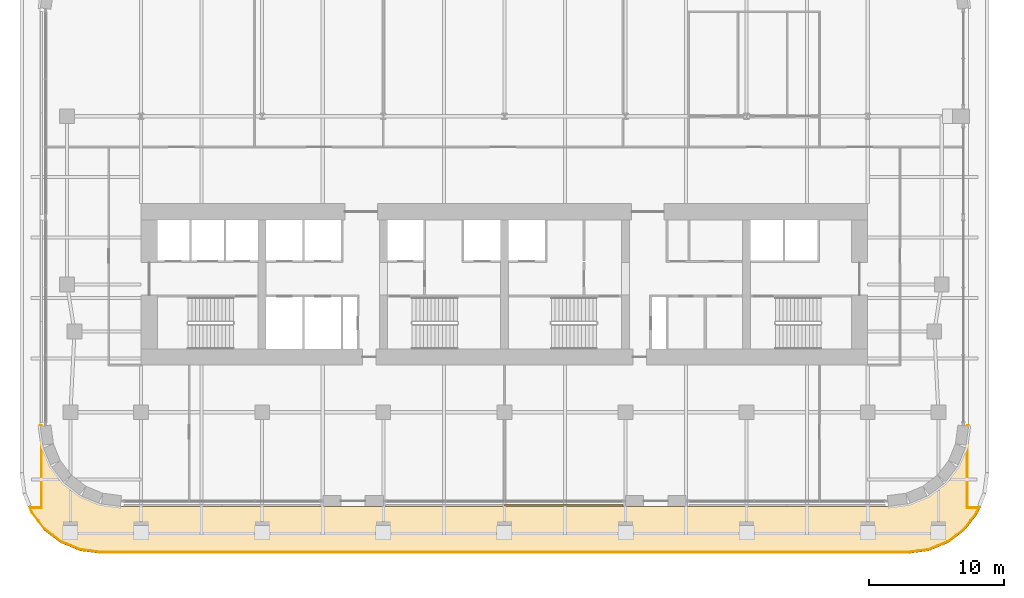
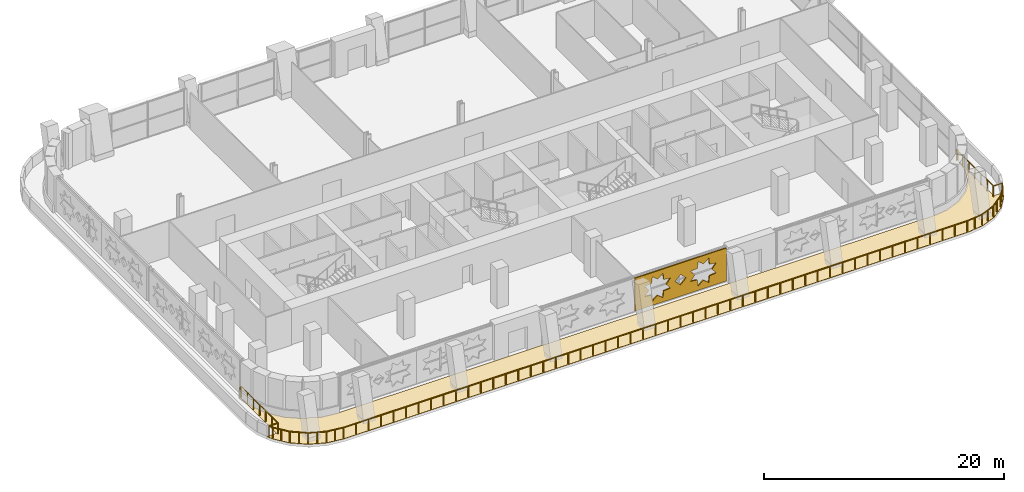
# One storey, part 20 of 26: 2 coverings, 1 railing.
"""IFC4 building model written with IfcOpenShell, lengths in metres."""

from ifc_helpers import new_model, si_unit, direction, frame, origin, origin_2d, place, context, subcontext, project, spatial, polyline, circle, outline, extrude, material, layer, layer_set, type_object, element, save


model = new_model("IFC4")

# Units and contexts
model_context = context("Model", 3, precision=1e-05, world=origin(), true_north=direction((0.0, 1.0)))
body_context = subcontext(model_context, "Body", "Model", "MODEL_VIEW")
ifc_project = project(units=[si_unit("LENGTHUNIT", "METRE"), si_unit("AREAUNIT", "SQUARE_METRE"), si_unit("VOLUMEUNIT", "CUBIC_METRE"), si_unit("PLANEANGLEUNIT", "RADIAN"), si_unit("MASSUNIT", "GRAM", prefix="KILO")], contexts=[model_context])

# Site, building, storey
site_placement = place(None, origin())
site = spatial("IfcSite", under=ifc_project, at=site_placement, CompositionType="ELEMENT")
building_placement = place(site_placement, origin())
building = spatial("IfcBuilding", under=site, at=building_placement, Name="Zellij Exchange Tower", CompositionType="ELEMENT")
storey_placement = place(building_placement, frame((0.0, 0.0, 100.5)))
storey = spatial("IfcBuildingStorey", under=building, at=storey_placement, Name="L21", CompositionType="ELEMENT", Elevation=100.5)

# Railing
ifc_material_1 = material(Name="Bronze-finished aluminium", Category="aluminium")
railing_type = type_object("IfcRailingType", Name="ENV-GR1 Terrace guard", PredefinedType="GUARDRAIL", material=ifc_material_1)
railing_placement = place(storey_placement, frame((-34.5, -18.500732421875, 0.0)))
element("IfcRailing", 1, at=railing_placement, inside=storey, type_object=railing_type, Name="Terrace guard", PredefinedType="GUARDRAIL", context=body_context, shape_type="SweptSolid", body=[
    extrude(circle(Radius=0.02490234375, at=origin_2d()), frame((0.0, 0.0, 1.0751953125), z_axis=(1.0, 0.0, 0.0), x_axis=(0.0, 1.0, 0.0)), (0.0, 0.0, 1.0), 0.10009765625),
    extrude(circle(Radius=0.02490234375, at=origin_2d()), frame((0.10009765625, 0.0, 1.0751953125), z_axis=(0.0, -1.0, 0.0), x_axis=(1.0, 0.0, 0.0)), (0.0, 0.0, 1.0), 6.099365234375),
    extrude(circle(Radius=0.02490234375, at=origin_2d()), frame((0.10009765625, -6.099365234375, 1.0751953125), z_axis=(-1.0, 0.0, 0.0), x_axis=(0.0, -1.0, 0.0)), (0.0, 0.0, 1.0), 0.853759765625),
    extrude(circle(Radius=0.02490234375, at=origin_2d()), frame((-0.753662109375, -6.099365234375, 1.0751953125), z_axis=(0.382598720491, -0.923914616768, 0.0), x_axis=(0.923914616768, 0.382598720491, 0.0)), (0.0, 0.0, 1.0), 0.37841796875),
    extrude(circle(Radius=0.02490234375, at=origin_2d()), frame((-0.60888671875, -6.448974609375, 1.0751953125), z_axis=(0.608790940556, -0.793330694412, 0.0), x_axis=(0.793330694412, 0.608790940556, 0.0)), (0.0, 0.0, 1.0), 1.5400390625),
    extrude(circle(Radius=0.02490234375, at=origin_2d()), frame((0.32861328125, -7.670654296875, 1.0751953125), z_axis=(0.793330694412, -0.608790940556, 0.0), x_axis=(0.608790940556, 0.793330694412, 0.0)), (0.0, 0.0, 1.0), 1.5400390625),
    extrude(circle(Radius=0.02490234375, at=origin_2d()), frame((1.55029296875, -8.608154296875, 1.0751953125), z_axis=(0.923881586142, -0.382678474425, 0.0), x_axis=(0.382678474425, 0.923881586142, 0.0)), (0.0, 0.0, 1.0), 1.5400390625),
    extrude(circle(Radius=0.02490234375, at=origin_2d()), frame((2.97314453125, -9.197509765625, 1.0751953125), z_axis=(0.991463426777, -0.130385096405, 0.0), x_axis=(0.130385096405, 0.991463426777, 0.0)), (0.0, 0.0, 1.0), 1.546630859375),
    extrude(circle(Radius=0.02490234375, at=origin_2d()), frame((4.506591796875, -9.399169921875, 1.0751953125), z_axis=(1.0, 0.0, 0.0), x_axis=(0.0, 1.0, 0.0)), (0.0, 0.0, 1.0), 59.98681640625),
    extrude(circle(Radius=0.02490234375, at=origin_2d()), frame((64.493408203125, -9.399169921875, 1.0751953125), z_axis=(0.991463426777, 0.130385096405, 0.0), x_axis=(-0.130385096405, 0.991463426777, 0.0)), (0.0, 0.0, 1.0), 1.546630859375),
    extrude(circle(Radius=0.02490234375, at=origin_2d()), frame((66.02685546875, -9.197509765625, 1.0751953125), z_axis=(0.923881586142, 0.382678474425, 0.0), x_axis=(-0.382678474425, 0.923881586142, 0.0)), (0.0, 0.0, 1.0), 1.5400390625),
    extrude(circle(Radius=0.02490234375, at=origin_2d()), frame((67.44970703125, -8.608154296875, 1.0751953125), z_axis=(0.793330694412, 0.608790940556, 0.0), x_axis=(-0.608790940556, 0.793330694412, 0.0)), (0.0, 0.0, 1.0), 1.5400390625),
    extrude(circle(Radius=0.02490234375, at=origin_2d()), frame((68.67138671875, -7.670654296875, 1.0751953125), z_axis=(0.608790940556, 0.793330694412, 0.0), x_axis=(-0.793330694412, 0.608790940556, 0.0)), (0.0, 0.0, 1.0), 1.5400390625),
    extrude(circle(Radius=0.02490234375, at=origin_2d()), frame((69.60888671875, -6.448974609375, 1.0751953125), z_axis=(0.382598720491, 0.923914616768, 0.0), x_axis=(-0.923914616768, 0.382598720491, 0.0)), (0.0, 0.0, 1.0), 0.37841796875),
    extrude(circle(Radius=0.02490234375, at=origin_2d()), frame((69.753662109375, -6.099365234375, 1.0751953125), z_axis=(-1.0, 0.0, 0.0), x_axis=(0.0, -1.0, 0.0)), (0.0, 0.0, 1.0), 0.853759765625),
    extrude(circle(Radius=0.02490234375, at=origin_2d()), frame((68.89990234375, -6.099365234375, 1.0751953125), z_axis=(0.0, 1.0, 0.0), x_axis=(-1.0, 0.0, 0.0)), (0.0, 0.0, 1.0), 6.099365234375),
    extrude(circle(Radius=0.02490234375, at=origin_2d()), frame((68.89990234375, 0.0, 1.0751953125), z_axis=(1.0, 0.0, 0.0), x_axis=(0.0, 1.0, 0.0)), (0.0, 0.0, 1.0), 0.10009765625),
    extrude(circle(Radius=0.030029296875, at=origin_2d()), origin(), (0.0, 0.0, 1.0), 1.050048828125),
    extrude(circle(Radius=0.030029296875, at=origin_2d()), frame((0.10009765625, 0.0, 0.0)), (0.0, 0.0, 1.0), 1.050048828125),
    extrude(circle(Radius=0.030029296875, at=origin_2d()), frame((0.10009765625, -1.0166015625, 0.0)), (0.0, 0.0, 1.0), 1.050048828125),
    extrude(circle(Radius=0.030029296875, at=origin_2d()), frame((0.10009765625, -2.033203125, 0.0)), (0.0, 0.0, 1.0), 1.050048828125),
    extrude(circle(Radius=0.030029296875, at=origin_2d()), frame((0.10009765625, -3.0498046875, 0.0)), (0.0, 0.0, 1.0), 1.050048828125),
    extrude(circle(Radius=0.030029296875, at=origin_2d()), frame((0.10009765625, -4.066162109375, 0.0)), (0.0, 0.0, 1.0), 1.050048828125),
    extrude(circle(Radius=0.030029296875, at=origin_2d()), frame((0.10009765625, -5.082763671875, 0.0)), (0.0, 0.0, 1.0), 1.050048828125),
    extrude(circle(Radius=0.030029296875, at=origin_2d()), frame((0.10009765625, -6.099365234375, 0.0)), (0.0, 0.0, 1.0), 1.050048828125),
    extrude(circle(Radius=0.030029296875, at=origin_2d()), frame((-0.753662109375, -6.099365234375, 0.0)), (0.0, 0.0, 1.0), 1.050048828125),
    extrude(circle(Radius=0.030029296875, at=origin_2d()), frame((-0.60888671875, -6.448974609375, 0.0)), (0.0, 0.0, 1.0), 1.050048828125),
    extrude(circle(Radius=0.030029296875, at=origin_2d()), frame((-0.14013671875, -7.059814453125, 0.0)), (0.0, 0.0, 1.0), 1.050048828125),
    extrude(circle(Radius=0.030029296875, at=origin_2d()), frame((0.32861328125, -7.670654296875, 0.0)), (0.0, 0.0, 1.0), 1.050048828125),
    extrude(circle(Radius=0.030029296875, at=origin_2d()), frame((0.939453125, -8.139404296875, 0.0)), (0.0, 0.0, 1.0), 1.050048828125),
    extrude(circle(Radius=0.030029296875, at=origin_2d()), frame((1.55029296875, -8.608154296875, 0.0)), (0.0, 0.0, 1.0), 1.050048828125),
    extrude(circle(Radius=0.030029296875, at=origin_2d()), frame((2.26171875, -8.90283203125, 0.0)), (0.0, 0.0, 1.0), 1.050048828125),
    extrude(circle(Radius=0.030029296875, at=origin_2d()), frame((2.97314453125, -9.197509765625, 0.0)), (0.0, 0.0, 1.0), 1.050048828125),
    extrude(circle(Radius=0.030029296875, at=origin_2d()), frame((3.73974609375, -9.29833984375, 0.0)), (0.0, 0.0, 1.0), 1.050048828125),
    extrude(circle(Radius=0.030029296875, at=origin_2d()), frame((4.506591796875, -9.399169921875, 0.0)), (0.0, 0.0, 1.0), 1.050048828125),
    extrude(circle(Radius=0.030029296875, at=origin_2d()), frame((5.706298828125, -9.399169921875, 0.0)), (0.0, 0.0, 1.0), 1.050048828125),
    extrude(circle(Radius=0.030029296875, at=origin_2d()), frame((6.906005859375, -9.399169921875, 0.0)), (0.0, 0.0, 1.0), 1.050048828125),
    extrude(circle(Radius=0.030029296875, at=origin_2d()), frame((8.105712890625, -9.399169921875, 0.0)), (0.0, 0.0, 1.0), 1.050048828125),
    extrude(circle(Radius=0.030029296875, at=origin_2d()), frame((9.305419921875, -9.399169921875, 0.0)), (0.0, 0.0, 1.0), 1.050048828125),
    extrude(circle(Radius=0.030029296875, at=origin_2d()), frame((10.50537109375, -9.399169921875, 0.0)), (0.0, 0.0, 1.0), 1.050048828125),
    extrude(circle(Radius=0.030029296875, at=origin_2d()), frame((11.705078125, -9.399169921875, 0.0)), (0.0, 0.0, 1.0), 1.050048828125),
    extrude(circle(Radius=0.030029296875, at=origin_2d()), frame((12.90478515625, -9.399169921875, 0.0)), (0.0, 0.0, 1.0), 1.050048828125),
    extrude(circle(Radius=0.030029296875, at=origin_2d()), frame((14.1044921875, -9.399169921875, 0.0)), (0.0, 0.0, 1.0), 1.050048828125),
    extrude(circle(Radius=0.030029296875, at=origin_2d()), frame((15.30419921875, -9.399169921875, 0.0)), (0.0, 0.0, 1.0), 1.050048828125),
    extrude(circle(Radius=0.030029296875, at=origin_2d()), frame((16.50390625, -9.399169921875, 0.0)), (0.0, 0.0, 1.0), 1.050048828125),
    extrude(circle(Radius=0.030029296875, at=origin_2d()), frame((17.70361328125, -9.399169921875, 0.0)), (0.0, 0.0, 1.0), 1.050048828125),
    extrude(circle(Radius=0.030029296875, at=origin_2d()), frame((18.9033203125, -9.399169921875, 0.0)), (0.0, 0.0, 1.0), 1.050048828125),
    extrude(circle(Radius=0.030029296875, at=origin_2d()), frame((20.103271484375, -9.399169921875, 0.0)), (0.0, 0.0, 1.0), 1.050048828125),
    extrude(circle(Radius=0.030029296875, at=origin_2d()), frame((21.302978515625, -9.399169921875, 0.0)), (0.0, 0.0, 1.0), 1.050048828125),
    extrude(circle(Radius=0.030029296875, at=origin_2d()), frame((22.502685546875, -9.399169921875, 0.0)), (0.0, 0.0, 1.0), 1.050048828125),
    extrude(circle(Radius=0.030029296875, at=origin_2d()), frame((23.702392578125, -9.399169921875, 0.0)), (0.0, 0.0, 1.0), 1.050048828125),
    extrude(circle(Radius=0.030029296875, at=origin_2d()), frame((24.902099609375, -9.399169921875, 0.0)), (0.0, 0.0, 1.0), 1.050048828125),
    extrude(circle(Radius=0.030029296875, at=origin_2d()), frame((26.101806640625, -9.399169921875, 0.0)), (0.0, 0.0, 1.0), 1.050048828125),
    extrude(circle(Radius=0.030029296875, at=origin_2d()), frame((27.301513671875, -9.399169921875, 0.0)), (0.0, 0.0, 1.0), 1.050048828125),
    extrude(circle(Radius=0.030029296875, at=origin_2d()), frame((28.501220703125, -9.399169921875, 0.0)), (0.0, 0.0, 1.0), 1.050048828125),
    extrude(circle(Radius=0.030029296875, at=origin_2d()), frame((29.701171875, -9.399169921875, 0.0)), (0.0, 0.0, 1.0), 1.050048828125),
    extrude(circle(Radius=0.030029296875, at=origin_2d()), frame((30.90087890625, -9.399169921875, 0.0)), (0.0, 0.0, 1.0), 1.050048828125),
    extrude(circle(Radius=0.030029296875, at=origin_2d()), frame((32.1005859375, -9.399169921875, 0.0)), (0.0, 0.0, 1.0), 1.050048828125),
    extrude(circle(Radius=0.030029296875, at=origin_2d()), frame((33.30029296875, -9.399169921875, 0.0)), (0.0, 0.0, 1.0), 1.050048828125),
    extrude(circle(Radius=0.030029296875, at=origin_2d()), frame((34.5, -9.399169921875, 0.0)), (0.0, 0.0, 1.0), 1.050048828125),
    extrude(circle(Radius=0.030029296875, at=origin_2d()), frame((35.69970703125, -9.399169921875, 0.0)), (0.0, 0.0, 1.0), 1.050048828125),
    extrude(circle(Radius=0.030029296875, at=origin_2d()), frame((36.8994140625, -9.399169921875, 0.0)), (0.0, 0.0, 1.0), 1.050048828125),
    extrude(circle(Radius=0.030029296875, at=origin_2d()), frame((38.09912109375, -9.399169921875, 0.0)), (0.0, 0.0, 1.0), 1.050048828125),
    extrude(circle(Radius=0.030029296875, at=origin_2d()), frame((39.298828125, -9.399169921875, 0.0)), (0.0, 0.0, 1.0), 1.050048828125),
    extrude(circle(Radius=0.030029296875, at=origin_2d()), frame((40.498779296875, -9.399169921875, 0.0)), (0.0, 0.0, 1.0), 1.050048828125),
    extrude(circle(Radius=0.030029296875, at=origin_2d()), frame((41.698486328125, -9.399169921875, 0.0)), (0.0, 0.0, 1.0), 1.050048828125),
    extrude(circle(Radius=0.030029296875, at=origin_2d()), frame((42.898193359375, -9.399169921875, 0.0)), (0.0, 0.0, 1.0), 1.050048828125),
    extrude(circle(Radius=0.030029296875, at=origin_2d()), frame((44.097900390625, -9.399169921875, 0.0)), (0.0, 0.0, 1.0), 1.050048828125),
    extrude(circle(Radius=0.030029296875, at=origin_2d()), frame((45.297607421875, -9.399169921875, 0.0)), (0.0, 0.0, 1.0), 1.050048828125),
    extrude(circle(Radius=0.030029296875, at=origin_2d()), frame((46.497314453125, -9.399169921875, 0.0)), (0.0, 0.0, 1.0), 1.050048828125),
    extrude(circle(Radius=0.030029296875, at=origin_2d()), frame((47.697021484375, -9.399169921875, 0.0)), (0.0, 0.0, 1.0), 1.050048828125),
    extrude(circle(Radius=0.030029296875, at=origin_2d()), frame((48.896728515625, -9.399169921875, 0.0)), (0.0, 0.0, 1.0), 1.050048828125),
    extrude(circle(Radius=0.030029296875, at=origin_2d()), frame((50.0966796875, -9.399169921875, 0.0)), (0.0, 0.0, 1.0), 1.050048828125),
    extrude(circle(Radius=0.030029296875, at=origin_2d()), frame((51.29638671875, -9.399169921875, 0.0)), (0.0, 0.0, 1.0), 1.050048828125),
    extrude(circle(Radius=0.030029296875, at=origin_2d()), frame((52.49609375, -9.399169921875, 0.0)), (0.0, 0.0, 1.0), 1.050048828125),
    extrude(circle(Radius=0.030029296875, at=origin_2d()), frame((53.69580078125, -9.399169921875, 0.0)), (0.0, 0.0, 1.0), 1.050048828125),
    extrude(circle(Radius=0.030029296875, at=origin_2d()), frame((54.8955078125, -9.399169921875, 0.0)), (0.0, 0.0, 1.0), 1.050048828125),
    extrude(circle(Radius=0.030029296875, at=origin_2d()), frame((56.09521484375, -9.399169921875, 0.0)), (0.0, 0.0, 1.0), 1.050048828125),
    extrude(circle(Radius=0.030029296875, at=origin_2d()), frame((57.294921875, -9.399169921875, 0.0)), (0.0, 0.0, 1.0), 1.050048828125),
    extrude(circle(Radius=0.030029296875, at=origin_2d()), frame((58.49462890625, -9.399169921875, 0.0)), (0.0, 0.0, 1.0), 1.050048828125),
    extrude(circle(Radius=0.030029296875, at=origin_2d()), frame((59.694580078125, -9.399169921875, 0.0)), (0.0, 0.0, 1.0), 1.050048828125),
    extrude(circle(Radius=0.030029296875, at=origin_2d()), frame((60.894287109375, -9.399169921875, 0.0)), (0.0, 0.0, 1.0), 1.050048828125),
    extrude(circle(Radius=0.030029296875, at=origin_2d()), frame((62.093994140625, -9.399169921875, 0.0)), (0.0, 0.0, 1.0), 1.050048828125),
    extrude(circle(Radius=0.030029296875, at=origin_2d()), frame((63.293701171875, -9.399169921875, 0.0)), (0.0, 0.0, 1.0), 1.050048828125),
    extrude(circle(Radius=0.030029296875, at=origin_2d()), frame((64.493408203125, -9.399169921875, 0.0)), (0.0, 0.0, 1.0), 1.050048828125),
    extrude(circle(Radius=0.030029296875, at=origin_2d()), frame((65.26025390625, -9.29833984375, 0.0)), (0.0, 0.0, 1.0), 1.050048828125),
    extrude(circle(Radius=0.030029296875, at=origin_2d()), frame((66.02685546875, -9.197509765625, 0.0)), (0.0, 0.0, 1.0), 1.050048828125),
    extrude(circle(Radius=0.030029296875, at=origin_2d()), frame((66.73828125, -8.90283203125, 0.0)), (0.0, 0.0, 1.0), 1.050048828125),
    extrude(circle(Radius=0.030029296875, at=origin_2d()), frame((67.44970703125, -8.608154296875, 0.0)), (0.0, 0.0, 1.0), 1.050048828125),
    extrude(circle(Radius=0.030029296875, at=origin_2d()), frame((68.060546875, -8.139404296875, 0.0)), (0.0, 0.0, 1.0), 1.050048828125),
    extrude(circle(Radius=0.030029296875, at=origin_2d()), frame((68.67138671875, -7.670654296875, 0.0)), (0.0, 0.0, 1.0), 1.050048828125),
    extrude(circle(Radius=0.030029296875, at=origin_2d()), frame((69.14013671875, -7.059814453125, 0.0)), (0.0, 0.0, 1.0), 1.050048828125),
    extrude(circle(Radius=0.030029296875, at=origin_2d()), frame((69.60888671875, -6.448974609375, 0.0)), (0.0, 0.0, 1.0), 1.050048828125),
    extrude(circle(Radius=0.030029296875, at=origin_2d()), frame((69.753662109375, -6.099365234375, 0.0)), (0.0, 0.0, 1.0), 1.050048828125),
    extrude(circle(Radius=0.030029296875, at=origin_2d()), frame((68.89990234375, -6.099365234375, 0.0)), (0.0, 0.0, 1.0), 1.050048828125),
    extrude(circle(Radius=0.030029296875, at=origin_2d()), frame((68.89990234375, -5.082763671875, 0.0)), (0.0, 0.0, 1.0), 1.050048828125),
    extrude(circle(Radius=0.030029296875, at=origin_2d()), frame((68.89990234375, -4.066162109375, 0.0)), (0.0, 0.0, 1.0), 1.050048828125),
    extrude(circle(Radius=0.030029296875, at=origin_2d()), frame((68.89990234375, -3.0498046875, 0.0)), (0.0, 0.0, 1.0), 1.050048828125),
    extrude(circle(Radius=0.030029296875, at=origin_2d()), frame((68.89990234375, -2.033203125, 0.0)), (0.0, 0.0, 1.0), 1.050048828125),
    extrude(circle(Radius=0.030029296875, at=origin_2d()), frame((68.89990234375, -1.0166015625, 0.0)), (0.0, 0.0, 1.0), 1.050048828125),
    extrude(circle(Radius=0.030029296875, at=origin_2d()), frame((68.89990234375, 0.0, 0.0)), (0.0, 0.0, 1.0), 1.050048828125),
    extrude(circle(Radius=0.030029296875, at=origin_2d()), frame((69.0, 0.0, 0.0)), (0.0, 0.0, 1.0), 1.050048828125),
])

# Coverings
ifc_material_2 = material(Name="Limestone paving", Category="masonry")
ifc_layer_1 = layer(ifc_material_2, 0.0400390625)
ifc_layer_set_1 = layer_set([ifc_layer_1], Name="Limestone paving")
covering_type_1 = type_object("IfcCoveringType", Name="ENV-PV2 Terrace paving 40", PredefinedType="FLOORING", material=ifc_layer_set_1)
covering_1_placement = place(storey_placement, frame((0.0, 0.0, -0.0400390625)))
element("IfcCovering", 2, at=covering_1_placement, inside=storey, type_object=covering_type_1, Name="Terrace paving", PredefinedType="FLOORING", context=body_context, shape_type="SweptSolid", body=[
    extrude(outline(polyline([(-34.24267578125, -26.24267578125), (-33.0, -27.1962890625), (-31.552978515625, -27.795654296875), (-30.0, -28.0), (30.0, -28.0), (31.552978515625, -27.795654296875), (33.0, -27.1962890625), (34.24267578125, -26.24267578125), (35.1962890625, -25.0), (35.4033203125, -24.5), (34.5, -24.5), (34.5, -18.5), (34.295654296875, -20.052978515625), (33.6962890625, -21.5), (32.74267578125, -22.74267578125), (31.5, -23.6962890625), (30.052978515625, -24.295654296875), (28.5, -24.5), (-28.5, -24.5), (-30.052978515625, -24.295654296875), (-31.5, -23.6962890625), (-32.74267578125, -22.74267578125), (-33.6962890625, -21.5), (-34.295654296875, -20.052978515625), (-34.5, -18.5), (-34.5, -24.5), (-35.4033203125, -24.5), (-35.1962890625, -25.0), (-34.24267578125, -26.24267578125)])), origin(), (0.0, 0.0, 1.0), 0.0400390625),
])
ifc_material_3 = material(Name="Limestone screen", Category="masonry")
ifc_layer_2 = layer(ifc_material_3, 0.1201171875)
ifc_layer_set_2 = layer_set([ifc_layer_2], Name="Limestone screen")
covering_type_2 = type_object("IfcCoveringType", Name="ENV-SC1 Pierced stone screen 120", PredefinedType="USERDEFINED", material=ifc_layer_set_2)
covering_2_placement = place(storey_placement, frame((0.0, -24.39990234375, 0.300048828125), z_axis=(0.0, 0.0, 1.0), x_axis=(1.0, 0.0, 0.0)))
element("IfcCovering", 3, at=covering_2_placement, inside=storey, type_object=covering_type_2, Name="Pierced stone screen", ObjectType="SCREEN", PredefinedType="USERDEFINED", context=body_context, shape_type="SweptSolid", body=[
    extrude(outline(polyline([(0.0, 0.0), (8.800048828125, 0.0), (8.800048828125, 3.35009765625), (0.0, 3.35009765625), (0.0, 0.0)]), holes=[polyline([(3.43798828125, 2.187744140625), (2.78759765625, 2.262451171875), (2.712890625, 2.9130859375), (2.199951171875, 2.505859375), (1.687255859375, 2.9130859375), (1.612548828125, 2.262451171875), (0.9619140625, 2.187744140625), (1.369140625, 1.675048828125), (0.9619140625, 1.162109375), (1.612548828125, 1.08740234375), (1.687255859375, 0.43701171875), (2.199951171875, 0.84423828125), (2.712890625, 0.43701171875), (2.78759765625, 1.08740234375), (3.43798828125, 1.162109375), (3.03076171875, 1.675048828125), (3.43798828125, 2.187744140625)]), polyline([(7.837890625, 2.187744140625), (7.1875, 2.262451171875), (7.11279296875, 2.9130859375), (6.60009765625, 2.505859375), (6.087158203125, 2.9130859375), (6.012451171875, 2.262451171875), (5.362060546875, 2.187744140625), (5.769287109375, 1.675048828125), (5.362060546875, 1.162109375), (6.012451171875, 1.08740234375), (6.087158203125, 0.43701171875), (6.60009765625, 0.84423828125), (7.11279296875, 0.43701171875), (7.1875, 1.08740234375), (7.837890625, 1.162109375), (7.430908203125, 1.675048828125), (7.837890625, 2.187744140625)]), polyline([(4.93603515625, 1.675048828125), (4.39990234375, 2.2109375), (3.864013671875, 1.675048828125), (4.39990234375, 1.138916015625), (4.93603515625, 1.675048828125)])]), frame((0.0, 0.06005859375, 0.0), z_axis=(0.0, -1.0, 0.0), x_axis=(1.0, 0.0, 0.0)), (0.0, 0.0, 1.0), 0.1201171875),
])

save(model, "model.ifc")
